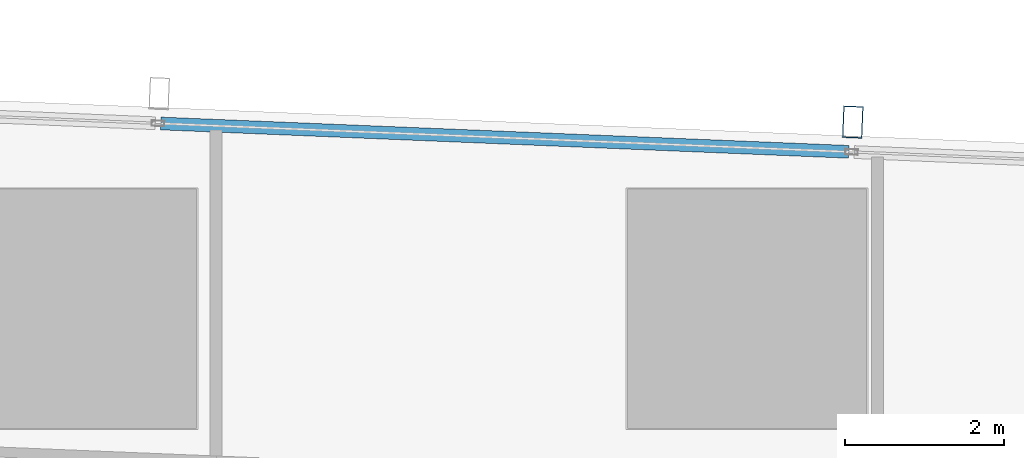
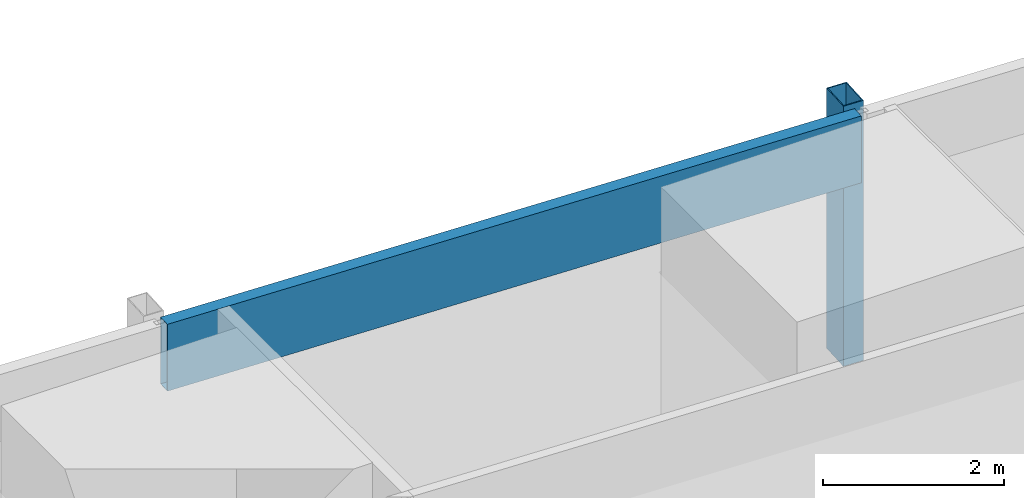
# One storey, part 24 of 45: 2 members, 1 element without a shape of its own.
"""IFC4 building model written with IfcOpenShell, lengths in metres."""

from ifc_helpers import new_model, si_unit, direction, frame, origin, origin_2d, place, context, subcontext, project, spatial, hollow_rectangle, extrude, material, material_profile, profile_set, type_object, element, aggregate, save


model = new_model("IFC4")

# Units and contexts
model_context = context("Model", 3, precision=1e-05, world=origin(), true_north=direction((0.0, 1.0)))
body_context = subcontext(model_context, "Body", "Model", "MODEL_VIEW")
ifc_project = project(units=[si_unit("LENGTHUNIT", "METRE"), si_unit("AREAUNIT", "SQUARE_METRE"), si_unit("VOLUMEUNIT", "CUBIC_METRE"), si_unit("PLANEANGLEUNIT", "RADIAN"), si_unit("MASSUNIT", "GRAM", prefix="KILO")], contexts=[model_context])

# Site, building, storey
site_placement = place(None, origin())
site = spatial("IfcSite", under=ifc_project, at=site_placement, CompositionType="ELEMENT")
building_placement = place(site_placement, origin())
building = spatial("IfcBuilding", under=site, at=building_placement, Name="Rekha Terrace Tower", CompositionType="ELEMENT")
storey_placement = place(building_placement, frame((0.0, 0.0, 77.89990234375)))
storey = spatial("IfcBuildingStorey", under=building, at=storey_placement, Name="L19", CompositionType="ELEMENT", Elevation=77.89990234375)

# Curtain wall, members
ifc_material_1 = material(Name="Aluminium framing", Category="aluminium")
curtain_wall_type = type_object("IfcCurtainWallType", Name="CW3 north unitised glazing", PredefinedType="USERDEFINED", material=ifc_material_1)
curtain_wall_placement = place(storey_placement, origin())
curtain_wall = element("IfcCurtainWall", 1, at=curtain_wall_placement, inside=storey, type_object=curtain_wall_type, Name="CW3 unitised curtain wall", ObjectType="UNITISED CURTAIN WALL", PredefinedType="USERDEFINED")
ifc_material_2 = material(Name="Steel S355 with fluorocarbon finish", Category="steel")
ifc_material_profile_1 = material_profile(ifc_material_2, hollow_rectangle(XDim=0.25, YDim=0.39990234375, WallThickness=0.012451171875, at=origin_2d()), Name="RHS400x250x12.5")
ifc_profile_set_1 = profile_set([ifc_material_profile_1], Name="Steel S355 with fluorocarbon finish")
member_type_1 = type_object("IfcMemberType", Name="BL1 facade blade RHS 400 x 250", PredefinedType="USERDEFINED", material=ifc_profile_set_1)
member_1_placement = place(storey_placement, frame((60.126953125, 61.140869140625, 0.0), z_axis=(0.0, 0.0, 1.0), x_axis=(-0.99915196507, 0.041174636562, 0.0)))
member_1 = element("IfcMember", 2, at=member_1_placement, type_object=member_type_1, Name="Facade blade", ObjectType="FACADE BLADE", PredefinedType="USERDEFINED", context=body_context, shape_type="SweptSolid", body=[
    extrude(hollow_rectangle(XDim=0.25, YDim=0.39990234375, WallThickness=0.012451171875, at=origin_2d()), origin(), (0.0, 0.0, 1.0), 3.5),
])
ifc_material_3 = material(Name="Insulated aluminium spandrel box", Category="aluminium")
ifc_material_profile_2 = material_profile(ifc_material_3, hollow_rectangle(XDim=0.159912109375, YDim=0.89990234375, WallThickness=0.0029296875, at=origin_2d()), Name="AL SPANDREL BOX 160x900")
ifc_profile_set_2 = profile_set([ifc_material_profile_2], Name="Insulated aluminium spandrel box")
member_type_2 = type_object("IfcMemberType", Name="CW3 spandrel transom 160 x 900", PredefinedType="USERDEFINED", material=ifc_profile_set_2)
member_2_placement = place(storey_placement, frame((60.07666015625, 60.767578125, 3.050048828125), z_axis=(-0.999152128669, 0.041170666459, 0.0), x_axis=(-0.041170666459, -0.999152128669, 0.0)))
member_2 = element("IfcMember", 3, at=member_2_placement, type_object=member_type_2, Name="CW3 spandrel transom 2", ObjectType="TRANSOM", PredefinedType="USERDEFINED", context=body_context, shape_type="SweptSolid", body=[
    extrude(hollow_rectangle(XDim=0.159912109375, YDim=0.89990234375, WallThickness=0.0029296875, at=origin_2d()), origin(), (0.0, 0.0, 1.0), 8.634033203125),
])
aggregate(curtain_wall, [member_2, member_1])

save(model, "model.ifc")
